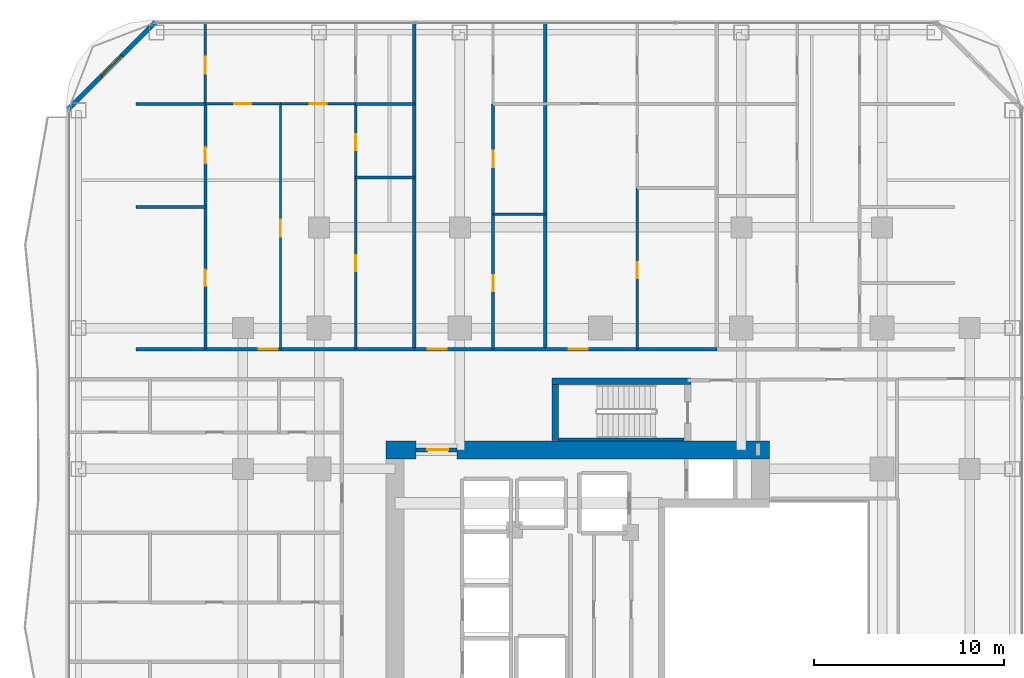
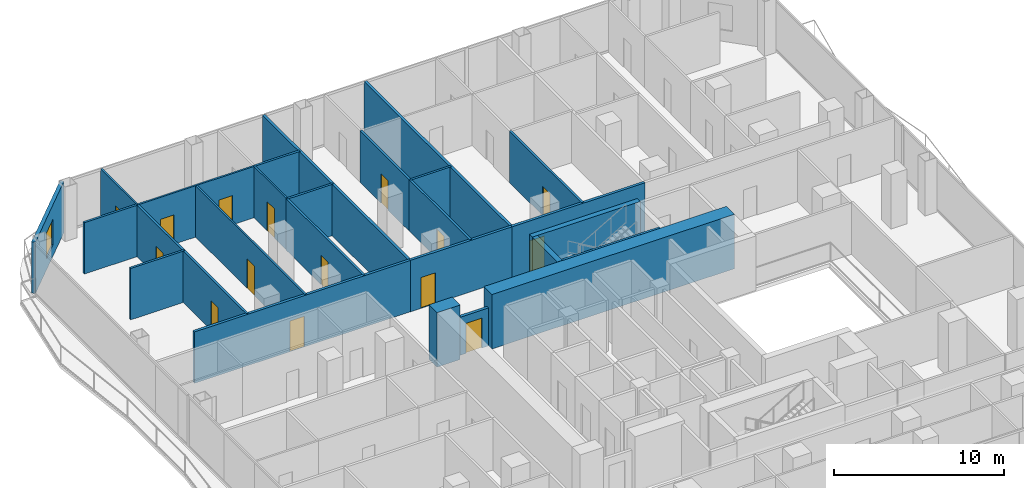
# One storey, part 22 of 29: 28 walls, 15 doors, 1 window, 16 openings.
"""IFC4 building model written with IfcOpenShell, lengths in metres."""

import ifcopenshell
import ifcopenshell.guid

model = None  # the IFC model being written
_history = None  # IfcOwnerHistory: only IFC2X3 demands one
_inside = {}  # id of a spatial element -> (the spatial element, [elements in it])
_under = {}  # id of a project, library or spatial element -> (it, [spatial elements below it])
_declared = {}  # id of a project -> (the project, [libraries it declares])
_typed = {}  # id of a type object -> (the type object, [elements of that type])
_made_of = {}  # id of a material, layer set ... -> (it, [elements and type objects made of it])


def new_model(schema):
    """Start an empty IFC model of exactly this schema.

    Asked for "IFC4X3", IfcOpenShell would pick the latest addendum, in which some entities
    have other attributes; the version numbers below select the first issue.
    IFC2X3 requires an IfcOwnerHistory on every rooted entity: one is made here for all.
    """
    global model, _history
    if schema == "IFC4X3":
        model = ifcopenshell.file(schema_version=(4, 3, 0, 0))
    else:
        model = ifcopenshell.file(schema=schema)
    _inside.clear()
    _under.clear()
    _declared.clear()
    _typed.clear()
    _made_of.clear()
    _history = None
    if model.schema == "IFC2X3":
        org = make("IfcOrganization", Name="unknown")
        user = make(
            "IfcPersonAndOrganization",
            ThePerson=make("IfcPerson", FamilyName="unknown"),
            TheOrganization=org,
        )
        app = make(
            "IfcApplication",
            ApplicationDeveloper=org,
            Version="unknown",
            ApplicationFullName="unknown",
            ApplicationIdentifier="unknown",
        )
        _history = make(
            "IfcOwnerHistory",
            OwningUser=user,
            OwningApplication=app,
            ChangeAction="ADDED",
            CreationDate=0,
        )
    return model


def make(cls, **values):
    """One entity of the class cls with the attributes given. An attribute that is None is left unset."""
    return model.create_entity(
        cls, **{name: value for name, value in values.items() if value is not None}
    )


def rooted(cls, **values):
    """An entity with a GlobalId (a new one), such as an element, a storey or a relation."""
    return make(cls, GlobalId=ifcopenshell.guid.new(), OwnerHistory=_history, **values)


def si_unit(unit_type, name, prefix=None):
    """IfcSIUnit, for example si_unit("LENGTHUNIT", "METRE", prefix="MILLI")."""
    return make("IfcSIUnit", UnitType=unit_type, Prefix=prefix, Name=name)


def assignment(units):
    """IfcUnitAssignment: the units of a project."""
    return None if units is None else make("IfcUnitAssignment", Units=units)


def point(xyz):
    """IfcCartesianPoint."""
    return None if xyz is None else make("IfcCartesianPoint", Coordinates=xyz)


def direction(xyz):
    """IfcDirection."""
    return None if xyz is None else make("IfcDirection", DirectionRatios=xyz)


def frame(location, z_axis=None, x_axis=None):
    """IfcAxis2Placement3D, a coordinate frame: its origin and axes. An axis left out is left unset."""
    return make(
        "IfcAxis2Placement3D",
        Location=point(location),
        Axis=direction(z_axis),
        RefDirection=direction(x_axis),
    )


def frame_2d(location, x_axis=None):
    """IfcAxis2Placement2D, a coordinate frame in the plane: its origin and x axis."""
    return make(
        "IfcAxis2Placement2D", Location=point(location), RefDirection=direction(x_axis)
    )


def origin():
    """The frame at (0, 0, 0) with its axes left unset."""
    return frame((0.0, 0.0, 0.0))


def place(relative_to, where):
    """IfcLocalPlacement: puts the frame where relative to a parent placement (None: the world)."""
    return make(
        "IfcLocalPlacement", PlacementRelTo=relative_to, RelativePlacement=where
    )


def context(
    kind, dimensions, precision=None, world=None, true_north=None, identifier=None
):
    """IfcGeometricRepresentationContext, for example the 3D "Model" context."""
    return make(
        "IfcGeometricRepresentationContext",
        ContextIdentifier=identifier,
        ContextType=kind,
        CoordinateSpaceDimension=dimensions,
        Precision=precision,
        WorldCoordinateSystem=world,
        TrueNorth=true_north,
    )


def subcontext(parent, identifier, kind, view, scale=None):
    """IfcGeometricRepresentationSubContext, for example "Body" below "Model"."""
    return make(
        "IfcGeometricRepresentationSubContext",
        ContextIdentifier=identifier,
        ContextType=kind,
        ParentContext=parent,
        TargetScale=scale,
        TargetView=view,
    )


def project(units=None, contexts=None):
    """IfcProject with its units and contexts."""
    return rooted(
        "IfcProject",
        Name="project",
        RepresentationContexts=contexts,
        UnitsInContext=assignment(units),
    )


def spatial(cls, under=None, at=None, **own):
    """A site, building, storey or space (cls), placed at a placement, below another one or the project."""
    s = rooted(cls, ObjectPlacement=at, **own)
    if under is not None:
        _under.setdefault(under.id(), (under, []))[1].append(s)
    return s


def profile(cls, at=None, kind="AREA", **sizes):
    """A parametric profile (cls). Its sizes go by their IFC names, for example OverallWidth=200.0."""
    return make(cls, ProfileType=kind, Position=at, **sizes)


def rectangle(**sizes):
    """IfcRectangleProfileDef."""
    return profile("IfcRectangleProfileDef", **sizes)


def extrude(swept, where, along, depth):
    """IfcExtrudedAreaSolid: the profile swept, set in the frame where, extruded along a direction by depth."""
    return make(
        "IfcExtrudedAreaSolid",
        SweptArea=swept,
        Position=where,
        ExtrudedDirection=direction(along),
        Depth=depth,
    )


def shape(context_of_items, identifier, shape_type, items):
    """IfcShapeRepresentation: the items that make up one representation, for example the "Body"."""
    return make(
        "IfcShapeRepresentation",
        ContextOfItems=context_of_items,
        RepresentationIdentifier=identifier,
        RepresentationType=shape_type,
        Items=items,
    )


def material(Name=None, Category=None):
    """IfcMaterial."""
    return make("IfcMaterial", Name=Name, Category=Category)


def layer(
    of_material, thickness, ventilated=None, Name=None, Category=None, Priority=None
):
    """IfcMaterialLayer: one layer of a wall or slab, of a material (None: an air gap)."""
    return make(
        "IfcMaterialLayer",
        Material=of_material,
        LayerThickness=thickness,
        IsVentilated=ventilated,
        Name=Name,
        Category=Category,
        Priority=Priority,
    )


def layer_set(layers, Name=None):
    """IfcMaterialLayerSet."""
    return make("IfcMaterialLayerSet", MaterialLayers=layers, LayerSetName=Name)


def made_of(thing, what):
    """Note that an element or type object is made of a material, layer set ...; save() writes the relation."""
    if what is not None:
        _made_of.setdefault(what.id(), (what, []))[1].append(thing)
    return thing


def type_object(cls, material=None, **own):
    """A type object (cls), such as IfcWallType, which elements share."""
    return made_of(rooted(cls, **own), material)


def element(
    cls,
    number,
    at=None,
    inside=None,
    cuts=None,
    type_object=None,
    material=None,
    context=None,
    identifier="Body",
    shape_type=None,
    held_by="IfcProductDefinitionShape",
    body=None,
    shapes=None,
    **own,
):
    """One element of the class cls, such as IfcWall. Its Tag is "e" and its number.

    at: its placement. inside: the storey or other place that contains it. cuts: it is an
    opening in that element (IfcRelVoidsElement). A single representation is given by context,
    identifier, shape_type and body (its items); several are given by shapes. held_by: the class
    of the entity that holds the representations. save() writes the other relations.
    """
    e = rooted(cls, Tag="e%d" % number, ObjectPlacement=at, **own)
    if body is not None:
        shapes = [shape(context, identifier, shape_type, body)]
    if shapes is not None:
        e.Representation = make(held_by, Representations=shapes)
    if inside is not None:
        _inside.setdefault(inside.id(), (inside, []))[1].append(e)
    if cuts is not None:
        rooted(
            "IfcRelVoidsElement", RelatingBuildingElement=cuts, RelatedOpeningElement=e
        )
    if type_object is not None:
        _typed.setdefault(type_object.id(), (type_object, []))[1].append(e)
    return made_of(e, material)


def fill(opening, filler):
    """IfcRelFillsElement: the door or window that sits in an opening."""
    return rooted(
        "IfcRelFillsElement",
        RelatingOpeningElement=opening,
        RelatedBuildingElement=filler,
    )


def aggregate(whole, parts):
    """IfcRelAggregates: a whole, such as a stair, and the parts it consists of."""
    return rooted("IfcRelAggregates", RelatingObject=whole, RelatedObjects=parts)


def save(model, path):
    """Write the relations noted so far, then the file.

    IfcRelAggregates (storeys below a building ...), IfcRelContainedInSpatialStructure (elements
    in a storey), IfcRelDefinesByType, IfcRelAssociatesMaterial and IfcRelDeclares: one each for
    every whole, place, type object, material and project.
    """
    for whole, parts in _under.values():
        aggregate(whole, parts)
    for where, things in _inside.values():
        rooted(
            "IfcRelContainedInSpatialStructure",
            RelatedElements=things,
            RelatingStructure=where,
        )
    for kind, things in _typed.values():
        rooted("IfcRelDefinesByType", RelatedObjects=things, RelatingType=kind)
    for what, things in _made_of.values():
        rooted("IfcRelAssociatesMaterial", RelatedObjects=things, RelatingMaterial=what)
    for by, libraries in _declared.values():
        rooted("IfcRelDeclares", RelatingContext=by, RelatedDefinitions=libraries)
    model.write(path)


model = new_model("IFC4")

# Units and contexts
model_context = context("Model", 3, precision=1e-05, world=origin(), true_north=direction((0.0, 1.0)))
body_context = subcontext(model_context, "Body", "Model", "MODEL_VIEW")
ifc_project = project(units=[si_unit("LENGTHUNIT", "METRE"), si_unit("AREAUNIT", "SQUARE_METRE"), si_unit("VOLUMEUNIT", "CUBIC_METRE"), si_unit("PLANEANGLEUNIT", "RADIAN"), si_unit("MASSUNIT", "GRAM", prefix="KILO")], contexts=[model_context])

# Site, building, storey
site_placement = place(None, origin())
site = spatial("IfcSite", under=ifc_project, at=site_placement, CompositionType="ELEMENT")
building_placement = place(site_placement, origin())
building = spatial("IfcBuilding", under=site, at=building_placement, Name="Khorvyn Point Tower", CompositionType="ELEMENT")
storey_placement = place(building_placement, frame((0.0, 0.0, 85.199951171875)))
storey = spatial("IfcBuildingStorey", under=building, at=storey_placement, Name="L21", CompositionType="ELEMENT", Elevation=85.199951171875)

# Wall, opening, door
ifc_material_1 = material(Name="Double acoustic gypsum on twin steel stud", Category="steel")
ifc_layer_1 = layer(ifc_material_1, 0.179931640625)
ifc_layer_set_1 = layer_set([ifc_layer_1], Name="Acoustic Double-Stud Apartment Demising Wall 180")
wall_type_1 = type_object("IfcWallType", Name="Acoustic Double-Stud Apartment Demising Wall 180", PredefinedType="PARTITIONING", material=ifc_layer_set_1)
wall_1_placement = place(storey_placement, frame((-24.419921875, 13.699951171875, 0.0), z_axis=(0.0, 0.0, 1.0), x_axis=(1.0, 0.0, 0.0)))
wall_1 = element("IfcWall", 1, at=wall_1_placement, inside=storey, type_object=wall_type_1, Name="Wall", PredefinedType="PARTITIONING", context=body_context, shape_type="SweptSolid", body=[
    extrude(rectangle(XDim=14.634033203125, YDim=0.179931640625, at=frame_2d((7.31689453125, 0.0))), origin(), (0.0, 0.0, 1.0), 3.679931640625),
])
opening_1_placement = place(wall_1_placement, frame((6.457275390625, 0.0, 0.0)))
opening_1 = element("IfcOpeningElement", 2, at=opening_1_placement, cuts=wall_1, Name="Opening ID-AP60", PredefinedType="OPENING", context=body_context, shape_type="SweptSolid", body=[
    extrude(rectangle(XDim=1.0, YDim=2.199951171875, at=frame_2d((0.5, 1.10009765625))), frame((0.0, 0.099853515625, 0.0), z_axis=(0.0, -1.0, 0.0), x_axis=(1.0, 0.0, 0.0)), (0.0, 0.0, 1.0), 0.199951171875),
])
ifc_material_2 = material(Name="Engineered hardwood fire-rated leaf", Category="wood")
door_type_1 = type_object("IfcDoorType", Name="Acoustic Solid-Core Timber Apartment Entrance Door 1000x2200", OperationType="NOTDEFINED", PredefinedType="DOOR", material=ifc_material_2)
door_1_placement = place(opening_1_placement, origin())
door_1 = element("IfcDoor", 3, at=door_1_placement, inside=storey, type_object=door_type_1, Name="Door", OperationType="SINGLE_SWING_LEFT", OverallHeight=2.199951171875, OverallWidth=1.0, PredefinedType="DOOR", context=body_context, shape_type="SweptSolid", body=[
    extrude(rectangle(XDim=1.0, YDim=2.199951171875, at=frame_2d((0.5, 1.10009765625))), frame((0.0, 0.02490234375, 0.0), z_axis=(0.0, -1.0, 0.0), x_axis=(1.0, 0.0, 0.0)), (0.0, 0.0, 1.0), 0.050048828125),
])
fill(opening_1, door_1)

wall_2_placement = place(storey_placement, frame((-9.785888671875, 13.699951171875, 0.0), z_axis=(0.0, 0.0, 1.0), x_axis=(1.0, 0.0, 0.0)))
wall_2 = element("IfcWall", 4, at=wall_2_placement, inside=storey, type_object=wall_type_1, Name="Wall", PredefinedType="PARTITIONING", context=body_context, shape_type="SweptSolid", body=[
    extrude(rectangle(XDim=6.885986328125, YDim=0.179931640625, at=frame_2d((3.44287109375, 0.0))), origin(), (0.0, 0.0, 1.0), 3.679931640625),
])
opening_2_placement = place(wall_2_placement, frame((0.698486328125, 0.0, 0.0)))
opening_2 = element("IfcOpeningElement", 5, at=opening_2_placement, cuts=wall_2, Name="Opening ID-AP60", PredefinedType="OPENING", context=body_context, shape_type="SweptSolid", body=[
    extrude(rectangle(XDim=1.0, YDim=2.199951171875, at=frame_2d((0.5, 1.10009765625))), frame((0.0, 0.099853515625, 0.0), z_axis=(0.0, -1.0, 0.0), x_axis=(1.0, 0.0, 0.0)), (0.0, 0.0, 1.0), 0.199951171875),
])
door_2_placement = place(opening_2_placement, origin())
door_2 = element("IfcDoor", 6, at=door_2_placement, inside=storey, type_object=door_type_1, Name="Door", OperationType="SINGLE_SWING_LEFT", OverallHeight=2.199951171875, OverallWidth=1.0, PredefinedType="DOOR", context=body_context, shape_type="SweptSolid", body=[
    extrude(rectangle(XDim=1.0, YDim=2.199951171875, at=frame_2d((0.5, 1.10009765625))), frame((0.0, 0.02490234375, 0.0), z_axis=(0.0, -1.0, 0.0), x_axis=(1.0, 0.0, 0.0)), (0.0, 0.0, 1.0), 0.050048828125),
])
fill(opening_2, door_2)

wall_3_placement = place(storey_placement, frame((-2.89990234375, 13.699951171875, 0.0), z_axis=(0.0, 0.0, 1.0), x_axis=(1.0, 0.0, 0.0)))
wall_3 = element("IfcWall", 7, at=wall_3_placement, inside=storey, type_object=wall_type_1, Name="Wall", PredefinedType="PARTITIONING", context=body_context, shape_type="SweptSolid", body=[
    extrude(rectangle(XDim=9.016845703125, YDim=0.179931640625, at=frame_2d((4.50830078125, 0.0))), origin(), (0.0, 0.0, 1.0), 3.679931640625),
])
opening_3_placement = place(wall_3_placement, frame((1.23388671875, 0.0, 0.0)))
opening_3 = element("IfcOpeningElement", 8, at=opening_3_placement, cuts=wall_3, Name="Opening ID-AP60", PredefinedType="OPENING", context=body_context, shape_type="SweptSolid", body=[
    extrude(rectangle(XDim=1.0, YDim=2.199951171875, at=frame_2d((0.5, 1.10009765625))), frame((0.0, 0.099853515625, 0.0), z_axis=(0.0, -1.0, 0.0), x_axis=(1.0, 0.0, 0.0)), (0.0, 0.0, 1.0), 0.199951171875),
])
door_3_placement = place(opening_3_placement, origin())
door_3 = element("IfcDoor", 9, at=door_3_placement, inside=storey, type_object=door_type_1, Name="Door", OperationType="SINGLE_SWING_LEFT", OverallHeight=2.199951171875, OverallWidth=1.0, PredefinedType="DOOR", context=body_context, shape_type="SweptSolid", body=[
    extrude(rectangle(XDim=1.0, YDim=2.199951171875, at=frame_2d((0.5, 1.10009765625))), frame((0.0, 0.02490234375, 0.0), z_axis=(0.0, -1.0, 0.0), x_axis=(1.0, 0.0, 0.0)), (0.0, 0.0, 1.0), 0.050048828125),
])
fill(opening_3, door_3)

# Walls
for number, where, z_axis, x_axis, name in (
    (10, (-9.785888671875, 13.699951171875, 0.0), (0.0, 0.0, 1.0), (0.0, 1.0, 0.0), "Wall"),
    (11, (-2.89990234375, 13.699951171875, 0.0), (0.0, 0.0, 1.0), (0.0, 1.0, 0.0), "Wall"),
):
    element("IfcWall", number, at=place(storey_placement, frame(where, z_axis=z_axis, x_axis=x_axis)), inside=storey, type_object=wall_type_1, Name=name, PredefinedType="PARTITIONING", context=body_context, shape_type="SweptSolid", body=[
        extrude(rectangle(XDim=17.130126953125, YDim=0.179931640625, at=frame_2d((8.56494140625, 0.0))), origin(), (0.0, 0.0, 1.0), 3.679931640625),
    ])

# Wall, opening, window
ifc_material_3 = material(Name="Pale anodised aluminium rainscreen on steel stud", Category="steel")
ifc_layer_2 = layer(ifc_material_3, 0.239990234375)
ifc_layer_set_2 = layer_set([ifc_layer_2], Name="Anodised Aluminium Insulated Corner Spandrel Wall 240")
wall_type_2 = type_object("IfcWallType", Name="Anodised Aluminium Insulated Corner Spandrel Wall 240", PredefinedType="SOLIDWALL", material=ifc_layer_set_2)
wall_4_placement = place(storey_placement, frame((-27.992431640625, 26.3076171875, 0.0), z_axis=(0.0, 0.0, 1.0), x_axis=(0.707106781187, 0.707106781187, 0.0)))
wall_4 = element("IfcWall", 12, at=wall_4_placement, inside=storey, type_object=wall_type_2, Name="L21 Rounded Corner Wall NW", PredefinedType="SOLIDWALL", context=body_context, shape_type="SweptSolid", body=[
    extrude(rectangle(XDim=6.48388671875, YDim=0.239990234375, at=frame_2d((3.241943359375, 0.0))), origin(), (0.0, 0.0, 1.0), 3.679931640625),
])
opening_4_placement = place(wall_4_placement, frame((2.491943359375, 0.0, 0.800048828125)))
opening_4 = element("IfcOpeningElement", 13, at=opening_4_placement, cuts=wall_4, Name="Opening WN-1518", PredefinedType="OPENING", context=body_context, shape_type="SweptSolid", body=[
    extrude(rectangle(XDim=1.5, YDim=1.85009765625, at=frame_2d((0.75, 0.925048828125))), frame((0.0, 0.1298828125, 0.0), z_axis=(0.0, -1.0, 0.0), x_axis=(1.0, 0.0, 0.0)), (0.0, 0.0, 1.0), 0.260009765625),
])
ifc_material_4 = material(Name="Anodised aluminium 6063-T6 and laminated Low-E glass", Category="aluminium")
window_type = type_object("IfcWindowType", Name="Anodised Aluminium Rounded-Corner Panoramic Window 1500x1850", PartitioningType="SINGLE_PANEL", PredefinedType="WINDOW", material=ifc_material_4)
window_placement = place(opening_4_placement, origin())
window = element("IfcWindow", 14, at=window_placement, inside=storey, type_object=window_type, Name="L21 Corner Panoramic Window NW", OverallHeight=1.85009765625, OverallWidth=1.5, PartitioningType="SINGLE_PANEL", PredefinedType="WINDOW", context=body_context, shape_type="SweptSolid", body=[
    extrude(rectangle(XDim=1.5, YDim=1.85009765625, at=frame_2d((0.75, 0.925048828125))), frame((0.0, 0.030029296875, 0.0), z_axis=(0.0, -1.0, 0.0), x_axis=(1.0, 0.0, 0.0)), (0.0, 0.0, 1.0), 0.06005859375),
])
fill(opening_4, window)

# Wall, opening, door
ifc_material_5 = material(Name="Concrete C40/50", Category="concrete")
ifc_layer_3 = layer(ifc_material_5, 0.199951171875)
ifc_layer_set_3 = layer_set([ifc_layer_3], Name="Concrete C40/50 Fire-Lobby Compartment Wall 200")
wall_type_3 = type_object("IfcWallType", Name="Concrete C40/50 Fire-Lobby Compartment Wall 200", PredefinedType="SOLIDWALL", material=ifc_layer_set_3)
wall_5_placement = place(storey_placement, frame((-9.699951171875, 8.39990234375, 0.0), z_axis=(0.0, 0.0, 1.0), x_axis=(1.0, 0.0, 0.0)))
wall_5 = element("IfcWall", 15, at=wall_5_placement, inside=storey, type_object=wall_type_3, Name="Wall", PredefinedType="SOLIDWALL", context=body_context, shape_type="SweptSolid", body=[
    extrude(rectangle(XDim=2.14990234375, YDim=0.199951171875, at=frame_2d((1.074951171875, 0.0))), origin(), (0.0, 0.0, 1.0), 2.719970703125),
])
opening_5_placement = place(wall_5_placement, frame((0.597900390625, 0.0, 0.0)))
opening_5 = element("IfcOpeningElement", 16, at=opening_5_placement, cuts=wall_5, Name="Opening ID-FL90", PredefinedType="OPENING", context=body_context, shape_type="SweptSolid", body=[
    extrude(rectangle(XDim=1.10009765625, YDim=2.14990234375, at=frame_2d((0.550048828125, 1.074951171875))), frame((0.0, 0.10986328125, 0.0), z_axis=(0.0, -1.0, 0.0), x_axis=(1.0, 0.0, 0.0)), (0.0, 0.0, 1.0), 0.219970703125),
])
ifc_material_6 = material(Name="Galvanised powder-coated steel", Category="steel")
door_type_2 = type_object("IfcDoorType", Name="Fire-Rated Steel Lobby and Stair Door 1100x2150", OperationType="NOTDEFINED", PredefinedType="DOOR", material=ifc_material_6)
door_4_placement = place(opening_5_placement, origin())
door_4 = element("IfcDoor", 17, at=door_4_placement, inside=storey, type_object=door_type_2, Name="Door", OperationType="SINGLE_SWING_RIGHT", OverallHeight=2.14990234375, OverallWidth=1.10009765625, PredefinedType="DOOR", context=body_context, shape_type="SweptSolid", body=[
    extrude(rectangle(XDim=1.10009765625, YDim=2.14990234375, at=frame_2d((0.550048828125, 1.074951171875))), frame((0.0, 0.02490234375, 0.0), z_axis=(0.0, -1.0, 0.0), x_axis=(1.0, 0.0, 0.0)), (0.0, 0.0, 1.0), 0.050048828125),
])
fill(opening_5, door_4)

# Walls
ifc_layer_4 = layer(ifc_material_5, 0.25)
ifc_layer_set_4 = layer_set([ifc_layer_4], Name="Concrete C40/50 Stair Inner Cheek Structural Wall 250")
wall_type_4 = type_object("IfcWallType", Name="Concrete C40/50 Stair Inner Cheek Structural Wall 250", PredefinedType="SHEAR", material=ifc_layer_set_4)
wall_6_placement = place(storey_placement, frame((-2.199951171875, 8.949951171875, 0.0), z_axis=(0.0, 0.0, 1.0), x_axis=(1.0, 0.0, 0.0)))
element("IfcWall", 18, at=wall_6_placement, inside=storey, type_object=wall_type_4, Name="Wall", PredefinedType="SHEAR", context=body_context, shape_type="SweptSolid", body=[
    extrude(rectangle(XDim=6.599853515625, YDim=0.14990234375, at=frame_2d((3.2998046875, 0.0))), origin(), (0.0, 0.0, 1.0), 3.900146484375),
])
ifc_layer_5 = layer(ifc_material_5, 0.35009765625)
ifc_layer_set_5 = layer_set([ifc_layer_5], Name="Concrete C40/50 Stair Shaft Structural Wall 350")
wall_type_5 = type_object("IfcWallType", Name="Concrete C40/50 Stair Shaft Structural Wall 350", PredefinedType="SHEAR", material=ifc_layer_set_5)
wall_7_placement = place(storey_placement, frame((-2.554931640625, 12.0, 0.0), z_axis=(0.0, 0.0, 1.0), x_axis=(1.0, 0.0, 0.0)))
element("IfcWall", 19, at=wall_7_placement, inside=storey, type_object=wall_type_5, Name="L21 ST-02 North Shaft Wall", PredefinedType="SHEAR", context=body_context, shape_type="SweptSolid", body=[
    extrude(rectangle(XDim=7.309814453125, YDim=0.35009765625, at=frame_2d((3.65478515625, 0.0))), origin(), (0.0, 0.0, 1.0), 3.900146484375),
])
wall_8_placement = place(storey_placement, frame((-2.3798828125, 8.89990234375, 0.0), z_axis=(0.0, 0.0, 1.0), x_axis=(0.0, 1.0, 0.0)))
element("IfcWall", 20, at=wall_8_placement, inside=storey, type_object=wall_type_5, Name="L21 ST-02 West Shaft Wall", PredefinedType="SHEAR", context=body_context, shape_type="SweptSolid", body=[
    extrude(rectangle(XDim=2.925048828125, YDim=0.35009765625, at=frame_2d((1.46240234375, 0.0))), origin(), (0.0, 0.0, 1.0), 3.900146484375),
])
ifc_material_7 = material(Name="Concrete C50/60", Category="concrete")
ifc_layer_6 = layer(ifc_material_7, 0.949951171875)
ifc_layer_set_6 = layer_set([ifc_layer_6], Name="Concrete C50/60 Core Shear Wall 950")
wall_type_6 = type_object("IfcWallType", Name="Concrete C50/60 Core Shear Wall 950", PredefinedType="SHEAR", material=ifc_layer_set_6)
wall_9_placement = place(storey_placement, frame((-11.27490234375, 8.39990234375, 0.0), z_axis=(0.0, 0.0, 1.0), x_axis=(1.0, 0.0, 0.0)))
element("IfcWall", 21, at=wall_9_placement, inside=storey, type_object=wall_type_6, Name="Wall", PredefinedType="SHEAR", context=body_context, shape_type="SweptSolid", body=[
    extrude(rectangle(XDim=1.574951171875, YDim=0.949951171875, at=frame_2d((0.78759765625, 0.0))), origin(), (0.0, 0.0, 1.0), 3.900146484375),
])
wall_10_placement = place(storey_placement, frame((-7.550048828125, 8.39990234375, 0.0), z_axis=(0.0, 0.0, 1.0), x_axis=(1.0, 0.0, 0.0)))
element("IfcWall", 22, at=wall_10_placement, inside=storey, type_object=wall_type_6, Name="Wall", PredefinedType="SHEAR", context=body_context, shape_type="SweptSolid", body=[
    extrude(rectangle(XDim=16.425048828125, YDim=0.949951171875, at=frame_2d((8.21240234375, 0.0))), origin(), (0.0, 0.0, 1.0), 3.900146484375),
])

# Wall, opening, door
ifc_material_8 = material(Name="Gypsum plasterboard on steel stud", Category="steel")
ifc_layer_7 = layer(ifc_material_8, 0.1201171875)
ifc_layer_set_7 = layer_set([ifc_layer_7], Name="Gypsum Acoustic Stud Room Partition Wall 120")
wall_type_7 = type_object("IfcWallType", Name="Gypsum Acoustic Stud Room Partition Wall 120", PredefinedType="PARTITIONING", material=ifc_layer_set_7)
wall_11_placement = place(storey_placement, frame((-20.779052734375, 26.590087890625, 0.0), z_axis=(0.0, 0.0, 1.0), x_axis=(1.0, 0.0, 0.0)))
wall_11 = element("IfcWall", 23, at=wall_11_placement, inside=storey, type_object=wall_type_7, Name="Wall", PredefinedType="PARTITIONING", context=body_context, shape_type="SweptSolid", body=[
    extrude(rectangle(XDim=3.953125, YDim=0.1201171875, at=frame_2d((1.9765625, 0.0))), origin(), (0.0, 0.0, 1.0), 3.679931640625),
])
opening_6_placement = place(wall_11_placement, frame((1.526611328125, 0.0, 0.0)))
opening_6 = element("IfcOpeningElement", 24, at=opening_6_placement, cuts=wall_11, Name="Opening ID-RM90", PredefinedType="OPENING", context=body_context, shape_type="SweptSolid", body=[
    extrude(rectangle(XDim=0.89990234375, YDim=2.10009765625, at=frame_2d((0.449951171875, 1.050048828125))), frame((0.0, 0.070068359375, 0.0), z_axis=(0.0, -1.0, 0.0), x_axis=(1.0, 0.0, 0.0)), (0.0, 0.0, 1.0), 0.14013671875),
])
ifc_material_9 = material(Name="Engineered oak veneer timber", Category="wood")
door_type_3 = type_object("IfcDoorType", Name="Flush Engineered Timber Room Door 900x2100", OperationType="NOTDEFINED", PredefinedType="DOOR", material=ifc_material_9)
door_5_placement = place(opening_6_placement, origin())
door_5 = element("IfcDoor", 25, at=door_5_placement, inside=storey, type_object=door_type_3, Name="Door", OperationType="SINGLE_SWING_RIGHT", OverallHeight=2.10009765625, OverallWidth=0.89990234375, PredefinedType="DOOR", context=body_context, shape_type="SweptSolid", body=[
    extrude(rectangle(XDim=0.89990234375, YDim=2.10009765625, at=frame_2d((0.449951171875, 1.050048828125))), frame((0.0, 0.02490234375, 0.0), z_axis=(0.0, -1.0, 0.0), x_axis=(1.0, 0.0, 0.0)), (0.0, 0.0, 1.0), 0.050048828125),
])
fill(opening_6, door_5)

wall_12_placement = place(storey_placement, frame((-16.825927734375, 26.590087890625, 0.0), z_axis=(0.0, 0.0, 1.0), x_axis=(1.0, 0.0, 0.0)))
wall_12 = element("IfcWall", 26, at=wall_12_placement, inside=storey, type_object=wall_type_7, Name="Wall", PredefinedType="PARTITIONING", context=body_context, shape_type="SweptSolid", body=[
    extrude(rectangle(XDim=3.952880859375, YDim=0.1201171875, at=frame_2d((1.9765625, 0.0))), origin(), (0.0, 0.0, 1.0), 3.679931640625),
])
opening_7_placement = place(wall_12_placement, frame((1.526611328125, 0.0, 0.0)))
opening_7 = element("IfcOpeningElement", 27, at=opening_7_placement, cuts=wall_12, Name="Opening ID-RM90", PredefinedType="OPENING", context=body_context, shape_type="SweptSolid", body=[
    extrude(rectangle(XDim=0.89990234375, YDim=2.10009765625, at=frame_2d((0.449951171875, 1.050048828125))), frame((0.0, 0.070068359375, 0.0), z_axis=(0.0, -1.0, 0.0), x_axis=(1.0, 0.0, 0.0)), (0.0, 0.0, 1.0), 0.14013671875),
])
door_6_placement = place(opening_7_placement, origin())
door_6 = element("IfcDoor", 28, at=door_6_placement, inside=storey, type_object=door_type_3, Name="Door", OperationType="SINGLE_SWING_LEFT", OverallHeight=2.10009765625, OverallWidth=0.89990234375, PredefinedType="DOOR", context=body_context, shape_type="SweptSolid", body=[
    extrude(rectangle(XDim=0.89990234375, YDim=2.10009765625, at=frame_2d((0.449951171875, 1.050048828125))), frame((0.0, 0.02490234375, 0.0), z_axis=(0.0, -1.0, 0.0), x_axis=(1.0, 0.0, 0.0)), (0.0, 0.0, 1.0), 0.050048828125),
])
fill(opening_7, door_6)

wall_13_placement = place(storey_placement, frame((-16.825927734375, 13.699951171875, 0.0), z_axis=(0.0, 0.0, 1.0), x_axis=(0.0, 1.0, 0.0)))
wall_13 = element("IfcWall", 29, at=wall_13_placement, inside=storey, type_object=wall_type_7, Name="Wall", PredefinedType="PARTITIONING", context=body_context, shape_type="SweptSolid", body=[
    extrude(rectangle(XDim=12.89013671875, YDim=0.1201171875, at=frame_2d((6.445068359375, 0.0))), origin(), (0.0, 0.0, 1.0), 3.679931640625),
])
opening_8_placement = place(wall_13_placement, frame((5.9052734375, 0.0, 0.0)))
opening_8 = element("IfcOpeningElement", 30, at=opening_8_placement, cuts=wall_13, Name="Opening ID-RM90", PredefinedType="OPENING", context=body_context, shape_type="SweptSolid", body=[
    extrude(rectangle(XDim=0.89990234375, YDim=2.10009765625, at=frame_2d((0.449951171875, 1.050048828125))), frame((0.0, 0.070068359375, 0.0), z_axis=(0.0, -1.0, 0.0), x_axis=(1.0, 0.0, 0.0)), (0.0, 0.0, 1.0), 0.14013671875),
])
door_7_placement = place(opening_8_placement, origin())
door_7 = element("IfcDoor", 31, at=door_7_placement, inside=storey, type_object=door_type_3, Name="Door", OperationType="SINGLE_SWING_RIGHT", OverallHeight=2.10009765625, OverallWidth=0.89990234375, PredefinedType="DOOR", context=body_context, shape_type="SweptSolid", body=[
    extrude(rectangle(XDim=0.89990234375, YDim=2.10009765625, at=frame_2d((0.449951171875, 1.050048828125))), frame((0.0, 0.02490234375, 0.0), z_axis=(0.0, -1.0, 0.0), x_axis=(1.0, 0.0, 0.0)), (0.0, 0.0, 1.0), 0.050048828125),
])
fill(opening_8, door_7)

wall_14_placement = place(storey_placement, frame((-20.779052734375, 26.590087890625, 0.0), z_axis=(0.0, 0.0, 1.0), x_axis=(0.0, 1.0, 0.0)))
wall_14 = element("IfcWall", 32, at=wall_14_placement, inside=storey, type_object=wall_type_7, Name="Wall", PredefinedType="PARTITIONING", context=body_context, shape_type="SweptSolid", body=[
    extrude(rectangle(XDim=4.239990234375, YDim=0.1201171875, at=frame_2d((2.1201171875, 0.0))), origin(), (0.0, 0.0, 1.0), 3.679931640625),
])
opening_9_placement = place(wall_14_placement, frame((1.581298828125, 0.0, 0.0)))
opening_9 = element("IfcOpeningElement", 33, at=opening_9_placement, cuts=wall_14, Name="Opening ID-RM90", PredefinedType="OPENING", context=body_context, shape_type="SweptSolid", body=[
    extrude(rectangle(XDim=0.89990234375, YDim=2.10009765625, at=frame_2d((0.449951171875, 1.050048828125))), frame((0.0, 0.070068359375, 0.0), z_axis=(0.0, -1.0, 0.0), x_axis=(1.0, 0.0, 0.0)), (0.0, 0.0, 1.0), 0.14013671875),
])
door_8_placement = place(opening_9_placement, origin())
door_8 = element("IfcDoor", 34, at=door_8_placement, inside=storey, type_object=door_type_3, Name="Door", OperationType="SINGLE_SWING_LEFT", OverallHeight=2.10009765625, OverallWidth=0.89990234375, PredefinedType="DOOR", context=body_context, shape_type="SweptSolid", body=[
    extrude(rectangle(XDim=0.89990234375, YDim=2.10009765625, at=frame_2d((0.449951171875, 1.050048828125))), frame((0.0, 0.02490234375, 0.0), z_axis=(0.0, -1.0, 0.0), x_axis=(1.0, 0.0, 0.0)), (0.0, 0.0, 1.0), 0.050048828125),
])
fill(opening_9, door_8)

wall_15_placement = place(storey_placement, frame((-12.873046875, 22.722900390625, 0.0), z_axis=(0.0, 0.0, 1.0), x_axis=(0.0, 1.0, 0.0)))
wall_15 = element("IfcWall", 35, at=wall_15_placement, inside=storey, type_object=wall_type_7, Name="Wall", PredefinedType="PARTITIONING", context=body_context, shape_type="SweptSolid", body=[
    extrude(rectangle(XDim=3.8671875, YDim=0.1201171875, at=frame_2d((1.93359375, 0.0))), origin(), (0.0, 0.0, 1.0), 3.679931640625),
])
opening_10_placement = place(wall_15_placement, frame((1.418701171875, 0.0, 0.0)))
opening_10 = element("IfcOpeningElement", 36, at=opening_10_placement, cuts=wall_15, Name="Opening ID-WC85", PredefinedType="OPENING", context=body_context, shape_type="SweptSolid", body=[
    extrude(rectangle(XDim=0.85009765625, YDim=2.10009765625, at=frame_2d((0.425048828125, 1.050048828125))), frame((0.0, 0.070068359375, 0.0), z_axis=(0.0, -1.0, 0.0), x_axis=(1.0, 0.0, 0.0)), (0.0, 0.0, 1.0), 0.14013671875),
])
ifc_material_10 = material(Name="High-pressure laminate on moisture-resistant core", Category="wood")
door_type_4 = type_object("IfcDoorType", Name="Moisture-Resistant Accessible Washroom Door 850x2100", OperationType="NOTDEFINED", PredefinedType="DOOR", material=ifc_material_10)
door_9_placement = place(opening_10_placement, origin())
door_9 = element("IfcDoor", 37, at=door_9_placement, inside=storey, type_object=door_type_4, Name="Door", OperationType="SINGLE_SWING_LEFT", OverallHeight=2.10009765625, OverallWidth=0.85009765625, PredefinedType="DOOR", context=body_context, shape_type="SweptSolid", body=[
    extrude(rectangle(XDim=0.85009765625, YDim=2.10009765625, at=frame_2d((0.425048828125, 1.050048828125))), frame((0.0, 0.02490234375, 0.0), z_axis=(0.0, -1.0, 0.0), x_axis=(1.0, 0.0, 0.0)), (0.0, 0.0, 1.0), 0.050048828125),
])
fill(opening_10, door_9)

ifc_material_11 = material(Name="Moisture-resistant gypsum and cement board", Category="gypsum")
ifc_layer_8 = layer(ifc_material_11, 0.14990234375)
ifc_layer_set_8 = layer_set([ifc_layer_8], Name="Moisture-Resistant Wet-Room Partition Wall 150")
wall_type_8 = type_object("IfcWallType", Name="Moisture-Resistant Wet-Room Partition Wall 150", PredefinedType="PARTITIONING", material=ifc_layer_set_8)
wall_16_placement = place(storey_placement, frame((-20.779052734375, 13.699951171875, 0.0), z_axis=(0.0, 0.0, 1.0), x_axis=(0.0, 1.0, 0.0)))
wall_16 = element("IfcWall", 38, at=wall_16_placement, inside=storey, type_object=wall_type_8, Name="Wall", PredefinedType="PARTITIONING", context=body_context, shape_type="SweptSolid", body=[
    extrude(rectangle(XDim=7.47607421875, YDim=0.14990234375, at=frame_2d((3.738037109375, 0.0))), origin(), (0.0, 0.0, 1.0), 3.679931640625),
])
opening_11_placement = place(wall_16_placement, frame((3.31298828125, 0.0, 0.0)))
opening_11 = element("IfcOpeningElement", 39, at=opening_11_placement, cuts=wall_16, Name="Opening ID-WC85", PredefinedType="OPENING", context=body_context, shape_type="SweptSolid", body=[
    extrude(rectangle(XDim=0.85009765625, YDim=2.10009765625, at=frame_2d((0.425048828125, 1.050048828125))), frame((0.0, 0.0849609375, 0.0), z_axis=(0.0, -1.0, 0.0), x_axis=(1.0, 0.0, 0.0)), (0.0, 0.0, 1.0), 0.169921875),
])
door_10_placement = place(opening_11_placement, origin())
door_10 = element("IfcDoor", 40, at=door_10_placement, inside=storey, type_object=door_type_4, Name="Door", OperationType="SINGLE_SWING_LEFT", OverallHeight=2.10009765625, OverallWidth=0.85009765625, PredefinedType="DOOR", context=body_context, shape_type="SweptSolid", body=[
    extrude(rectangle(XDim=0.85009765625, YDim=2.10009765625, at=frame_2d((0.425048828125, 1.050048828125))), frame((0.0, 0.02490234375, 0.0), z_axis=(0.0, -1.0, 0.0), x_axis=(1.0, 0.0, 0.0)), (0.0, 0.0, 1.0), 0.050048828125),
])
fill(opening_11, door_10)

wall_17_placement = place(storey_placement, frame((-20.779052734375, 21.176025390625, 0.0), z_axis=(0.0, 0.0, 1.0), x_axis=(0.0, 1.0, 0.0)))
wall_17 = element("IfcWall", 41, at=wall_17_placement, inside=storey, type_object=wall_type_8, Name="Wall", PredefinedType="PARTITIONING", context=body_context, shape_type="SweptSolid", body=[
    extrude(rectangle(XDim=5.4140625, YDim=0.14990234375, at=frame_2d((2.70703125, 0.0))), origin(), (0.0, 0.0, 1.0), 3.679931640625),
])
opening_12_placement = place(wall_17_placement, frame((2.281982421875, 0.0, 0.0)))
opening_12 = element("IfcOpeningElement", 42, at=opening_12_placement, cuts=wall_17, Name="Opening ID-WC85", PredefinedType="OPENING", context=body_context, shape_type="SweptSolid", body=[
    extrude(rectangle(XDim=0.85009765625, YDim=2.10009765625, at=frame_2d((0.425048828125, 1.050048828125))), frame((0.0, 0.0849609375, 0.0), z_axis=(0.0, -1.0, 0.0), x_axis=(1.0, 0.0, 0.0)), (0.0, 0.0, 1.0), 0.169921875),
])
door_11_placement = place(opening_12_placement, origin())
door_11 = element("IfcDoor", 43, at=door_11_placement, inside=storey, type_object=door_type_4, Name="Door", OperationType="SINGLE_SWING_RIGHT", OverallHeight=2.10009765625, OverallWidth=0.85009765625, PredefinedType="DOOR", context=body_context, shape_type="SweptSolid", body=[
    extrude(rectangle(XDim=0.85009765625, YDim=2.10009765625, at=frame_2d((0.425048828125, 1.050048828125))), frame((0.0, 0.02490234375, 0.0), z_axis=(0.0, -1.0, 0.0), x_axis=(1.0, 0.0, 0.0)), (0.0, 0.0, 1.0), 0.050048828125),
])
fill(opening_12, door_11)

wall_18_placement = place(storey_placement, frame((-12.873046875, 13.699951171875, 0.0), z_axis=(0.0, 0.0, 1.0), x_axis=(0.0, 1.0, 0.0)))
wall_18 = element("IfcWall", 44, at=wall_18_placement, inside=storey, type_object=wall_type_8, Name="Wall", PredefinedType="PARTITIONING", context=body_context, shape_type="SweptSolid", body=[
    extrude(rectangle(XDim=9.02294921875, YDim=0.14990234375, at=frame_2d((4.511474609375, 0.0))), origin(), (0.0, 0.0, 1.0), 3.679931640625),
])
opening_13_placement = place(wall_18_placement, frame((4.08642578125, 0.0, 0.0)))
opening_13 = element("IfcOpeningElement", 45, at=opening_13_placement, cuts=wall_18, Name="Opening ID-WC85", PredefinedType="OPENING", context=body_context, shape_type="SweptSolid", body=[
    extrude(rectangle(XDim=0.85009765625, YDim=2.10009765625, at=frame_2d((0.425048828125, 1.050048828125))), frame((0.0, 0.0849609375, 0.0), z_axis=(0.0, -1.0, 0.0), x_axis=(1.0, 0.0, 0.0)), (0.0, 0.0, 1.0), 0.169921875),
])
door_12_placement = place(opening_13_placement, origin())
door_12 = element("IfcDoor", 46, at=door_12_placement, inside=storey, type_object=door_type_4, Name="Door", OperationType="SINGLE_SWING_RIGHT", OverallHeight=2.10009765625, OverallWidth=0.85009765625, PredefinedType="DOOR", context=body_context, shape_type="SweptSolid", body=[
    extrude(rectangle(XDim=0.85009765625, YDim=2.10009765625, at=frame_2d((0.425048828125, 1.050048828125))), frame((0.0, 0.02490234375, 0.0), z_axis=(0.0, -1.0, 0.0), x_axis=(1.0, 0.0, 0.0)), (0.0, 0.0, 1.0), 0.050048828125),
])
fill(opening_13, door_12)

wall_19_placement = place(storey_placement, frame((-5.64990234375, 13.699951171875, 0.0), z_axis=(0.0, 0.0, 1.0), x_axis=(0.0, 1.0, 0.0)))
wall_19 = element("IfcWall", 47, at=wall_19_placement, inside=storey, type_object=wall_type_8, Name="Wall", PredefinedType="PARTITIONING", context=body_context, shape_type="SweptSolid", body=[
    extrude(rectangle(XDim=7.090087890625, YDim=0.14990234375, at=frame_2d((3.544921875, 0.0))), origin(), (0.0, 0.0, 1.0), 3.679931640625),
])
opening_14_placement = place(wall_19_placement, frame((3.0302734375, 0.0, 0.0)))
opening_14 = element("IfcOpeningElement", 48, at=opening_14_placement, cuts=wall_19, Name="Opening ID-WC85", PredefinedType="OPENING", context=body_context, shape_type="SweptSolid", body=[
    extrude(rectangle(XDim=0.85009765625, YDim=2.10009765625, at=frame_2d((0.425048828125, 1.050048828125))), frame((0.0, 0.0849609375, 0.0), z_axis=(0.0, -1.0, 0.0), x_axis=(1.0, 0.0, 0.0)), (0.0, 0.0, 1.0), 0.169921875),
])
door_13_placement = place(opening_14_placement, origin())
door_13 = element("IfcDoor", 49, at=door_13_placement, inside=storey, type_object=door_type_4, Name="Door", OperationType="SINGLE_SWING_RIGHT", OverallHeight=2.10009765625, OverallWidth=0.85009765625, PredefinedType="DOOR", context=body_context, shape_type="SweptSolid", body=[
    extrude(rectangle(XDim=0.85009765625, YDim=2.10009765625, at=frame_2d((0.425048828125, 1.050048828125))), frame((0.0, 0.02490234375, 0.0), z_axis=(0.0, -1.0, 0.0), x_axis=(1.0, 0.0, 0.0)), (0.0, 0.0, 1.0), 0.050048828125),
])
fill(opening_14, door_13)

wall_20_placement = place(storey_placement, frame((-5.64990234375, 20.7900390625, 0.0), z_axis=(0.0, 0.0, 1.0), x_axis=(0.0, 1.0, 0.0)))
wall_20 = element("IfcWall", 50, at=wall_20_placement, inside=storey, type_object=wall_type_8, Name="Wall", PredefinedType="PARTITIONING", context=body_context, shape_type="SweptSolid", body=[
    extrude(rectangle(XDim=5.800048828125, YDim=0.14990234375, at=frame_2d((2.89990234375, 0.0))), origin(), (0.0, 0.0, 1.0), 3.679931640625),
])
opening_15_placement = place(wall_20_placement, frame((2.47509765625, 0.0, 0.0)))
opening_15 = element("IfcOpeningElement", 51, at=opening_15_placement, cuts=wall_20, Name="Opening ID-WC85", PredefinedType="OPENING", context=body_context, shape_type="SweptSolid", body=[
    extrude(rectangle(XDim=0.85009765625, YDim=2.10009765625, at=frame_2d((0.425048828125, 1.050048828125))), frame((0.0, 0.0849609375, 0.0), z_axis=(0.0, -1.0, 0.0), x_axis=(1.0, 0.0, 0.0)), (0.0, 0.0, 1.0), 0.169921875),
])
door_14_placement = place(opening_15_placement, origin())
door_14 = element("IfcDoor", 52, at=door_14_placement, inside=storey, type_object=door_type_4, Name="Door", OperationType="SINGLE_SWING_LEFT", OverallHeight=2.10009765625, OverallWidth=0.85009765625, PredefinedType="DOOR", context=body_context, shape_type="SweptSolid", body=[
    extrude(rectangle(XDim=0.85009765625, YDim=2.10009765625, at=frame_2d((0.425048828125, 1.050048828125))), frame((0.0, 0.02490234375, 0.0), z_axis=(0.0, -1.0, 0.0), x_axis=(1.0, 0.0, 0.0)), (0.0, 0.0, 1.0), 0.050048828125),
])
fill(opening_15, door_14)

wall_21_placement = place(storey_placement, frame((1.927978515625, 13.699951171875, 0.0), z_axis=(0.0, 0.0, 1.0), x_axis=(0.0, 1.0, 0.0)))
wall_21 = element("IfcWall", 53, at=wall_21_placement, inside=storey, type_object=wall_type_8, Name="Wall", PredefinedType="PARTITIONING", context=body_context, shape_type="SweptSolid", body=[
    extrude(rectangle(XDim=8.47412109375, YDim=0.14990234375, at=frame_2d((4.237060546875, 0.0))), origin(), (0.0, 0.0, 1.0), 3.679931640625),
])
opening_16_placement = place(wall_21_placement, frame((3.722900390625, 0.0, 0.0)))
opening_16 = element("IfcOpeningElement", 54, at=opening_16_placement, cuts=wall_21, Name="Opening ID-WC85", PredefinedType="OPENING", context=body_context, shape_type="SweptSolid", body=[
    extrude(rectangle(XDim=0.85009765625, YDim=2.10009765625, at=frame_2d((0.425048828125, 1.050048828125))), frame((0.0, 0.0849609375, 0.0), z_axis=(0.0, -1.0, 0.0), x_axis=(1.0, 0.0, 0.0)), (0.0, 0.0, 1.0), 0.169921875),
])
door_15_placement = place(opening_16_placement, origin())
door_15 = element("IfcDoor", 55, at=door_15_placement, inside=storey, type_object=door_type_4, Name="Door", OperationType="SINGLE_SWING_LEFT", OverallHeight=2.10009765625, OverallWidth=0.85009765625, PredefinedType="DOOR", context=body_context, shape_type="SweptSolid", body=[
    extrude(rectangle(XDim=0.85009765625, YDim=2.10009765625, at=frame_2d((0.425048828125, 1.050048828125))), frame((0.0, 0.02490234375, 0.0), z_axis=(0.0, -1.0, 0.0), x_axis=(1.0, 0.0, 0.0)), (0.0, 0.0, 1.0), 0.050048828125),
])
fill(opening_16, door_15)

# Walls
for number, where, z_axis, x_axis, name in (
    (56, (-24.419921875, 21.176025390625, 0.0), (0.0, 0.0, 1.0), (1.0, 0.0, 0.0), "Wall"),
    (57, (-24.419921875, 26.590087890625, 0.0), (0.0, 0.0, 1.0), (1.0, 0.0, 0.0), "Wall"),
):
    element("IfcWall", number, at=place(storey_placement, frame(where, z_axis=z_axis, x_axis=x_axis)), inside=storey, type_object=wall_type_8, Name=name, PredefinedType="PARTITIONING", context=body_context, shape_type="SweptSolid", body=[
        extrude(rectangle(XDim=3.640869140625, YDim=0.14990234375, at=frame_2d((1.8203125, 0.0))), origin(), (0.0, 0.0, 1.0), 3.679931640625),
    ])
for number, where, z_axis, x_axis, name in (
    (58, (-12.873046875, 22.722900390625, 0.0), (0.0, 0.0, 1.0), (1.0, 0.0, 0.0), "Wall"),
    (59, (-12.873046875, 26.590087890625, 0.0), (0.0, 0.0, 1.0), (1.0, 0.0, 0.0), "Wall"),
):
    element("IfcWall", number, at=place(storey_placement, frame(where, z_axis=z_axis, x_axis=x_axis)), inside=storey, type_object=wall_type_8, Name=name, PredefinedType="PARTITIONING", context=body_context, shape_type="SweptSolid", body=[
        extrude(rectangle(XDim=3.087158203125, YDim=0.14990234375, at=frame_2d((1.54345703125, 0.0))), origin(), (0.0, 0.0, 1.0), 3.679931640625),
    ])
wall_22_placement = place(storey_placement, frame((-5.64990234375, 20.7900390625, 0.0), z_axis=(0.0, 0.0, 1.0), x_axis=(1.0, 0.0, 0.0)))
element("IfcWall", 60, at=wall_22_placement, inside=storey, type_object=wall_type_8, Name="Wall", PredefinedType="PARTITIONING", context=body_context, shape_type="SweptSolid", body=[
    extrude(rectangle(XDim=2.75, YDim=0.14990234375, at=frame_2d((1.375, 0.0))), origin(), (0.0, 0.0, 1.0), 3.679931640625),
])

save(model, "model.ifc")
